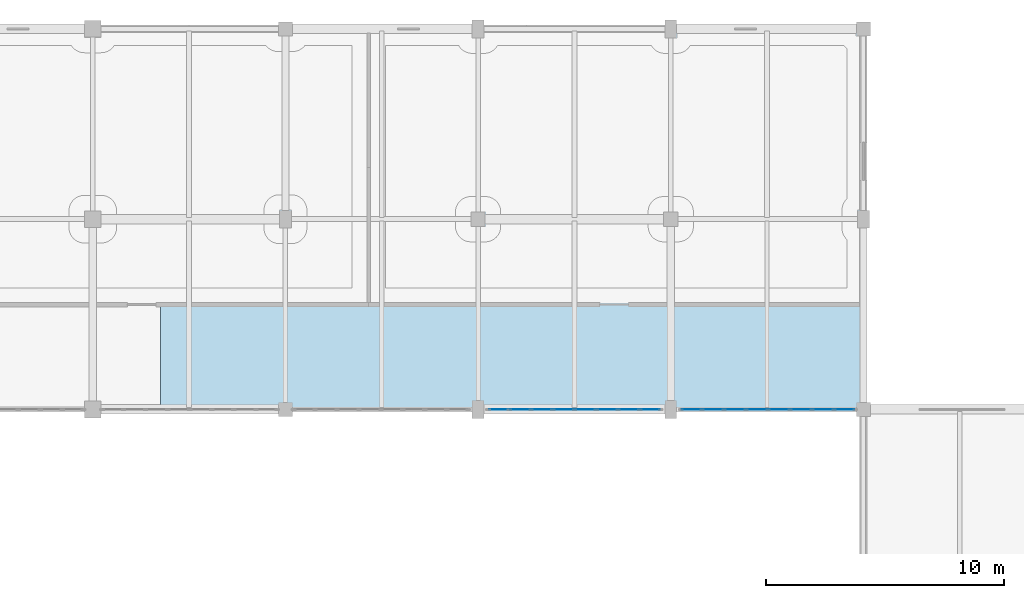
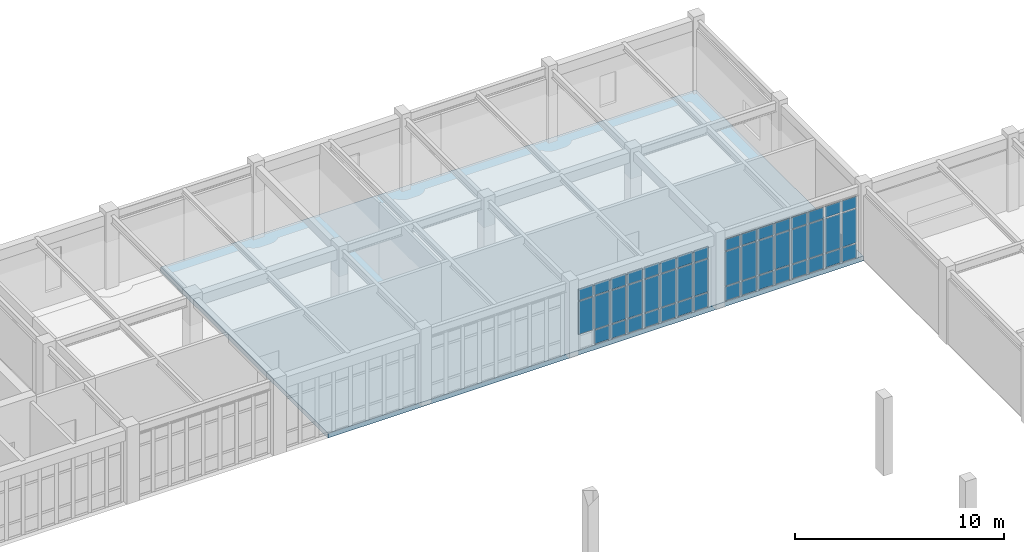
# One storey, part 45 of 67: 47 plates, 1 slab, 2 elements without a shape of their own.
"""IFC4 building model written with IfcOpenShell, lengths in metres."""

from ifc_helpers import new_model, si_unit, direction, frame, origin, origin_2d, place, context, subcontext, project, spatial, polyline, rectangle, outline, extrude, material, layer, layer_set, type_object, element, aggregate, save


model = new_model("IFC4")

# Units and contexts
model_context = context("Model", 3, precision=1e-05, world=origin(), true_north=direction((0.0, 1.0)))
body_context = subcontext(model_context, "Body", "Model", "MODEL_VIEW")
ifc_project = project(units=[si_unit("LENGTHUNIT", "METRE"), si_unit("AREAUNIT", "SQUARE_METRE"), si_unit("VOLUMEUNIT", "CUBIC_METRE"), si_unit("PLANEANGLEUNIT", "RADIAN"), si_unit("MASSUNIT", "GRAM", prefix="KILO")], contexts=[model_context])

# Site, building, storey
site_placement = place(None, origin())
site = spatial("IfcSite", under=ifc_project, at=site_placement, CompositionType="ELEMENT")
building_placement = place(site_placement, origin())
building = spatial("IfcBuilding", under=site, at=building_placement, Name="Tarnveldt Square Police Headquarters", CompositionType="ELEMENT")
storey_placement = place(building_placement, frame((0.0, 0.0, 10.199951171875)))
storey = spatial("IfcBuildingStorey", under=building, at=storey_placement, Name="L02", CompositionType="ELEMENT", Elevation=10.199951171875)

# Curtain wall, plates
ifc_material_1 = material(Name="Triple-glazed low-e laminated vision glass", Category="glass")
curtain_wall_type_1 = type_object("IfcCurtainWallType", Name="CW-LB-732x363", PredefinedType="USERDEFINED", material=ifc_material_1)
curtain_wall_1_placement = place(storey_placement, origin())
curtain_wall_1 = element("IfcCurtainWall", 1, at=curtain_wall_1_placement, inside=storey, type_object=curtain_wall_type_1, Name="L02 Curtain Wall CW-L02-117", ObjectType="GLAZED CURTAIN WALL", PredefinedType="USERDEFINED")
ifc_layer_1 = layer(ifc_material_1, 0.028076171875)
ifc_layer_set_1 = layer_set([ifc_layer_1], Name="Triple-glazed low-e laminated vision glass")
plate_type = type_object("IfcPlateType", Name="CWP-VIS-28", PredefinedType="CURTAIN_PANEL", material=ifc_layer_set_1)
plate_1_placement = place(storey_placement, frame((89.96630859375, 96.0, 0.9326171875), z_axis=(0.0, 0.0, 1.0), x_axis=(1.0, 0.0, 0.0)))
plate_1 = element("IfcPlate", 2, at=plate_1_placement, type_object=plate_type, Name="CW-LB69 panel 1.2", PredefinedType="CURTAIN_PANEL", context=body_context, shape_type="SweptSolid", body=[
    extrude(rectangle(XDim=0.802490234375, YDim=0.028076171875, at=origin_2d()), origin(), (0.0, 0.0, 1.0), 1.9169921875),
])
plate_2_placement = place(storey_placement, frame((89.96630859375, 96.0, 2.91455078125), z_axis=(0.0, 0.0, 1.0), x_axis=(1.0, 0.0, 0.0)))
plate_2 = element("IfcPlate", 3, at=plate_2_placement, type_object=plate_type, Name="CW-LB69 panel 1.3", PredefinedType="CURTAIN_PANEL", context=body_context, shape_type="SweptSolid", body=[
    extrude(rectangle(XDim=0.802490234375, YDim=0.028076171875, at=origin_2d()), origin(), (0.0, 0.0, 1.0), 0.652587890625),
])
plate_3_placement = place(storey_placement, frame((90.862548828125, 96.0, 0.06494140625), z_axis=(0.0, 0.0, 1.0), x_axis=(1.0, 0.0, 0.0)))
plate_3 = element("IfcPlate", 4, at=plate_3_placement, type_object=plate_type, Name="CW-LB69 panel 2.1", PredefinedType="CURTAIN_PANEL", context=body_context, shape_type="SweptSolid", body=[
    extrude(rectangle(XDim=0.840087890625, YDim=0.028076171875, at=origin_2d()), origin(), (0.0, 0.0, 1.0), 0.802490234375),
])
plate_4_placement = place(storey_placement, frame((90.862548828125, 96.0, 0.9326171875), z_axis=(0.0, 0.0, 1.0), x_axis=(1.0, 0.0, 0.0)))
plate_4 = element("IfcPlate", 5, at=plate_4_placement, type_object=plate_type, Name="CW-LB69 panel 2.2", PredefinedType="CURTAIN_PANEL", context=body_context, shape_type="SweptSolid", body=[
    extrude(rectangle(XDim=0.840087890625, YDim=0.028076171875, at=origin_2d()), origin(), (0.0, 0.0, 1.0), 1.9169921875),
])
plate_5_placement = place(storey_placement, frame((90.862548828125, 96.0, 2.91455078125), z_axis=(0.0, 0.0, 1.0), x_axis=(1.0, 0.0, 0.0)))
plate_5 = element("IfcPlate", 6, at=plate_5_placement, type_object=plate_type, Name="CW-LB69 panel 2.3", PredefinedType="CURTAIN_PANEL", context=body_context, shape_type="SweptSolid", body=[
    extrude(rectangle(XDim=0.840087890625, YDim=0.028076171875, at=origin_2d()), origin(), (0.0, 0.0, 1.0), 0.652587890625),
])
plate_6_placement = place(storey_placement, frame((91.777587890625, 96.0, 0.06494140625), z_axis=(0.0, 0.0, 1.0), x_axis=(1.0, 0.0, 0.0)))
plate_6 = element("IfcPlate", 7, at=plate_6_placement, type_object=plate_type, Name="CW-LB69 panel 3.1", PredefinedType="CURTAIN_PANEL", context=body_context, shape_type="SweptSolid", body=[
    extrude(rectangle(XDim=0.840087890625, YDim=0.028076171875, at=origin_2d()), origin(), (0.0, 0.0, 1.0), 0.802490234375),
])
plate_7_placement = place(storey_placement, frame((91.777587890625, 96.0, 0.9326171875), z_axis=(0.0, 0.0, 1.0), x_axis=(1.0, 0.0, 0.0)))
plate_7 = element("IfcPlate", 8, at=plate_7_placement, type_object=plate_type, Name="CW-LB69 panel 3.2", PredefinedType="CURTAIN_PANEL", context=body_context, shape_type="SweptSolid", body=[
    extrude(rectangle(XDim=0.840087890625, YDim=0.028076171875, at=origin_2d()), origin(), (0.0, 0.0, 1.0), 1.9169921875),
])
plate_8_placement = place(storey_placement, frame((91.777587890625, 96.0, 2.91455078125), z_axis=(0.0, 0.0, 1.0), x_axis=(1.0, 0.0, 0.0)))
plate_8 = element("IfcPlate", 9, at=plate_8_placement, type_object=plate_type, Name="CW-LB69 panel 3.3", PredefinedType="CURTAIN_PANEL", context=body_context, shape_type="SweptSolid", body=[
    extrude(rectangle(XDim=0.840087890625, YDim=0.028076171875, at=origin_2d()), origin(), (0.0, 0.0, 1.0), 0.652587890625),
])
plate_9_placement = place(storey_placement, frame((92.6923828125, 96.0, 0.06494140625), z_axis=(0.0, 0.0, 1.0), x_axis=(1.0, 0.0, 0.0)))
plate_9 = element("IfcPlate", 10, at=plate_9_placement, type_object=plate_type, Name="CW-LB69 panel 4.1", PredefinedType="CURTAIN_PANEL", context=body_context, shape_type="SweptSolid", body=[
    extrude(rectangle(XDim=0.840087890625, YDim=0.028076171875, at=origin_2d()), origin(), (0.0, 0.0, 1.0), 0.802490234375),
])
plate_10_placement = place(storey_placement, frame((92.6923828125, 96.0, 0.9326171875), z_axis=(0.0, 0.0, 1.0), x_axis=(1.0, 0.0, 0.0)))
plate_10 = element("IfcPlate", 11, at=plate_10_placement, type_object=plate_type, Name="CW-LB69 panel 4.2", PredefinedType="CURTAIN_PANEL", context=body_context, shape_type="SweptSolid", body=[
    extrude(rectangle(XDim=0.840087890625, YDim=0.028076171875, at=origin_2d()), origin(), (0.0, 0.0, 1.0), 1.9169921875),
])
plate_11_placement = place(storey_placement, frame((92.6923828125, 96.0, 2.91455078125), z_axis=(0.0, 0.0, 1.0), x_axis=(1.0, 0.0, 0.0)))
plate_11 = element("IfcPlate", 12, at=plate_11_placement, type_object=plate_type, Name="CW-LB69 panel 4.3", PredefinedType="CURTAIN_PANEL", context=body_context, shape_type="SweptSolid", body=[
    extrude(rectangle(XDim=0.840087890625, YDim=0.028076171875, at=origin_2d()), origin(), (0.0, 0.0, 1.0), 0.652587890625),
])
plate_12_placement = place(storey_placement, frame((93.607421875, 96.0, 0.06494140625), z_axis=(0.0, 0.0, 1.0), x_axis=(1.0, 0.0, 0.0)))
plate_12 = element("IfcPlate", 13, at=plate_12_placement, type_object=plate_type, Name="CW-LB69 panel 5.1", PredefinedType="CURTAIN_PANEL", context=body_context, shape_type="SweptSolid", body=[
    extrude(rectangle(XDim=0.840087890625, YDim=0.028076171875, at=origin_2d()), origin(), (0.0, 0.0, 1.0), 0.802490234375),
])
plate_13_placement = place(storey_placement, frame((93.607421875, 96.0, 0.9326171875), z_axis=(0.0, 0.0, 1.0), x_axis=(1.0, 0.0, 0.0)))
plate_13 = element("IfcPlate", 14, at=plate_13_placement, type_object=plate_type, Name="CW-LB69 panel 5.2", PredefinedType="CURTAIN_PANEL", context=body_context, shape_type="SweptSolid", body=[
    extrude(rectangle(XDim=0.840087890625, YDim=0.028076171875, at=origin_2d()), origin(), (0.0, 0.0, 1.0), 1.9169921875),
])
plate_14_placement = place(storey_placement, frame((93.607421875, 96.0, 2.91455078125), z_axis=(0.0, 0.0, 1.0), x_axis=(1.0, 0.0, 0.0)))
plate_14 = element("IfcPlate", 15, at=plate_14_placement, type_object=plate_type, Name="CW-LB69 panel 5.3", PredefinedType="CURTAIN_PANEL", context=body_context, shape_type="SweptSolid", body=[
    extrude(rectangle(XDim=0.840087890625, YDim=0.028076171875, at=origin_2d()), origin(), (0.0, 0.0, 1.0), 0.652587890625),
])
plate_15_placement = place(storey_placement, frame((94.5224609375, 96.0, 0.06494140625), z_axis=(0.0, 0.0, 1.0), x_axis=(1.0, 0.0, 0.0)))
plate_15 = element("IfcPlate", 16, at=plate_15_placement, type_object=plate_type, Name="CW-LB69 panel 6.1", PredefinedType="CURTAIN_PANEL", context=body_context, shape_type="SweptSolid", body=[
    extrude(rectangle(XDim=0.840087890625, YDim=0.028076171875, at=origin_2d()), origin(), (0.0, 0.0, 1.0), 0.802490234375),
])
plate_16_placement = place(storey_placement, frame((94.5224609375, 96.0, 0.9326171875), z_axis=(0.0, 0.0, 1.0), x_axis=(1.0, 0.0, 0.0)))
plate_16 = element("IfcPlate", 17, at=plate_16_placement, type_object=plate_type, Name="CW-LB69 panel 6.2", PredefinedType="CURTAIN_PANEL", context=body_context, shape_type="SweptSolid", body=[
    extrude(rectangle(XDim=0.840087890625, YDim=0.028076171875, at=origin_2d()), origin(), (0.0, 0.0, 1.0), 1.9169921875),
])
plate_17_placement = place(storey_placement, frame((94.5224609375, 96.0, 2.91455078125), z_axis=(0.0, 0.0, 1.0), x_axis=(1.0, 0.0, 0.0)))
plate_17 = element("IfcPlate", 18, at=plate_17_placement, type_object=plate_type, Name="CW-LB69 panel 6.3", PredefinedType="CURTAIN_PANEL", context=body_context, shape_type="SweptSolid", body=[
    extrude(rectangle(XDim=0.840087890625, YDim=0.028076171875, at=origin_2d()), origin(), (0.0, 0.0, 1.0), 0.652587890625),
])
plate_18_placement = place(storey_placement, frame((95.4375, 96.0, 0.06494140625), z_axis=(0.0, 0.0, 1.0), x_axis=(1.0, 0.0, 0.0)))
plate_18 = element("IfcPlate", 19, at=plate_18_placement, type_object=plate_type, Name="CW-LB69 panel 7.1", PredefinedType="CURTAIN_PANEL", context=body_context, shape_type="SweptSolid", body=[
    extrude(rectangle(XDim=0.840087890625, YDim=0.028076171875, at=origin_2d()), origin(), (0.0, 0.0, 1.0), 0.802490234375),
])
plate_19_placement = place(storey_placement, frame((95.4375, 96.0, 0.9326171875), z_axis=(0.0, 0.0, 1.0), x_axis=(1.0, 0.0, 0.0)))
plate_19 = element("IfcPlate", 20, at=plate_19_placement, type_object=plate_type, Name="CW-LB69 panel 7.2", PredefinedType="CURTAIN_PANEL", context=body_context, shape_type="SweptSolid", body=[
    extrude(rectangle(XDim=0.840087890625, YDim=0.028076171875, at=origin_2d()), origin(), (0.0, 0.0, 1.0), 1.9169921875),
])
plate_20_placement = place(storey_placement, frame((95.4375, 96.0, 2.91455078125), z_axis=(0.0, 0.0, 1.0), x_axis=(1.0, 0.0, 0.0)))
plate_20 = element("IfcPlate", 21, at=plate_20_placement, type_object=plate_type, Name="CW-LB69 panel 7.3", PredefinedType="CURTAIN_PANEL", context=body_context, shape_type="SweptSolid", body=[
    extrude(rectangle(XDim=0.840087890625, YDim=0.028076171875, at=origin_2d()), origin(), (0.0, 0.0, 1.0), 0.652587890625),
])
plate_21_placement = place(storey_placement, frame((96.333740234375, 96.0, 0.06494140625), z_axis=(0.0, 0.0, 1.0), x_axis=(1.0, 0.0, 0.0)))
plate_21 = element("IfcPlate", 22, at=plate_21_placement, type_object=plate_type, Name="CW-LB69 panel 8.1", PredefinedType="CURTAIN_PANEL", context=body_context, shape_type="SweptSolid", body=[
    extrude(rectangle(XDim=0.802490234375, YDim=0.028076171875, at=origin_2d()), origin(), (0.0, 0.0, 1.0), 0.802490234375),
])
plate_22_placement = place(storey_placement, frame((96.333740234375, 96.0, 0.9326171875), z_axis=(0.0, 0.0, 1.0), x_axis=(1.0, 0.0, 0.0)))
plate_22 = element("IfcPlate", 23, at=plate_22_placement, type_object=plate_type, Name="CW-LB69 panel 8.2", PredefinedType="CURTAIN_PANEL", context=body_context, shape_type="SweptSolid", body=[
    extrude(rectangle(XDim=0.802490234375, YDim=0.028076171875, at=origin_2d()), origin(), (0.0, 0.0, 1.0), 1.9169921875),
])
plate_23_placement = place(storey_placement, frame((96.333740234375, 96.0, 2.91455078125), z_axis=(0.0, 0.0, 1.0), x_axis=(1.0, 0.0, 0.0)))
plate_23 = element("IfcPlate", 24, at=plate_23_placement, type_object=plate_type, Name="CW-LB69 panel 8.3", PredefinedType="CURTAIN_PANEL", context=body_context, shape_type="SweptSolid", body=[
    extrude(rectangle(XDim=0.802490234375, YDim=0.028076171875, at=origin_2d()), origin(), (0.0, 0.0, 1.0), 0.652587890625),
])
aggregate(curtain_wall_1, [plate_1, plate_2, plate_3, plate_4, plate_5, plate_6, plate_7, plate_8, plate_9, plate_10, plate_11, plate_12, plate_13, plate_14, plate_15, plate_16, plate_17, plate_18, plate_19, plate_20, plate_21, plate_22, plate_23])

curtain_wall_type_2 = type_object("IfcCurtainWallType", Name="CW-LB-739x370", PredefinedType="USERDEFINED", material=ifc_material_1)
curtain_wall_2_placement = place(storey_placement, origin())
curtain_wall_2 = element("IfcCurtainWall", 25, at=curtain_wall_2_placement, inside=storey, type_object=curtain_wall_type_2, Name="L02 Curtain Wall CW-L02-118", ObjectType="GLAZED CURTAIN WALL", PredefinedType="USERDEFINED")
plate_24_placement = place(storey_placement, frame((98.071044921875, 96.0, 0.06494140625), z_axis=(0.0, 0.0, 1.0), x_axis=(1.0, 0.0, 0.0)))
plate_24 = element("IfcPlate", 26, at=plate_24_placement, type_object=plate_type, Name="CW-LB68 panel 1.1", PredefinedType="CURTAIN_PANEL", context=body_context, shape_type="SweptSolid", body=[
    extrude(rectangle(XDim=0.811767578125, YDim=0.028076171875, at=origin_2d()), origin(), (0.0, 0.0, 1.0), 0.802490234375),
])
plate_25_placement = place(storey_placement, frame((98.071044921875, 96.0, 0.9326171875), z_axis=(0.0, 0.0, 1.0), x_axis=(1.0, 0.0, 0.0)))
plate_25 = element("IfcPlate", 27, at=plate_25_placement, type_object=plate_type, Name="CW-LB68 panel 1.2", PredefinedType="CURTAIN_PANEL", context=body_context, shape_type="SweptSolid", body=[
    extrude(rectangle(XDim=0.811767578125, YDim=0.028076171875, at=origin_2d()), origin(), (0.0, 0.0, 1.0), 1.98388671875),
])
plate_26_placement = place(storey_placement, frame((98.071044921875, 96.0, 2.9814453125), z_axis=(0.0, 0.0, 1.0), x_axis=(1.0, 0.0, 0.0)))
plate_26 = element("IfcPlate", 28, at=plate_26_placement, type_object=plate_type, Name="CW-LB68 panel 1.3", PredefinedType="CURTAIN_PANEL", context=body_context, shape_type="SweptSolid", body=[
    extrude(rectangle(XDim=0.811767578125, YDim=0.028076171875, at=origin_2d()), origin(), (0.0, 0.0, 1.0), 0.652587890625),
])
plate_27_placement = place(storey_placement, frame((98.9765625, 96.0, 0.06494140625), z_axis=(0.0, 0.0, 1.0), x_axis=(1.0, 0.0, 0.0)))
plate_27 = element("IfcPlate", 29, at=plate_27_placement, type_object=plate_type, Name="CW-LB68 panel 2.1", PredefinedType="CURTAIN_PANEL", context=body_context, shape_type="SweptSolid", body=[
    extrude(rectangle(XDim=0.849365234375, YDim=0.028076171875, at=origin_2d()), origin(), (0.0, 0.0, 1.0), 0.802490234375),
])
plate_28_placement = place(storey_placement, frame((98.9765625, 96.0, 0.9326171875), z_axis=(0.0, 0.0, 1.0), x_axis=(1.0, 0.0, 0.0)))
plate_28 = element("IfcPlate", 30, at=plate_28_placement, type_object=plate_type, Name="CW-LB68 panel 2.2", PredefinedType="CURTAIN_PANEL", context=body_context, shape_type="SweptSolid", body=[
    extrude(rectangle(XDim=0.849365234375, YDim=0.028076171875, at=origin_2d()), origin(), (0.0, 0.0, 1.0), 1.98388671875),
])
plate_29_placement = place(storey_placement, frame((98.9765625, 96.0, 2.9814453125), z_axis=(0.0, 0.0, 1.0), x_axis=(1.0, 0.0, 0.0)))
plate_29 = element("IfcPlate", 31, at=plate_29_placement, type_object=plate_type, Name="CW-LB68 panel 2.3", PredefinedType="CURTAIN_PANEL", context=body_context, shape_type="SweptSolid", body=[
    extrude(rectangle(XDim=0.849365234375, YDim=0.028076171875, at=origin_2d()), origin(), (0.0, 0.0, 1.0), 0.652587890625),
])
plate_30_placement = place(storey_placement, frame((99.90087890625, 96.0, 0.06494140625), z_axis=(0.0, 0.0, 1.0), x_axis=(1.0, 0.0, 0.0)))
plate_30 = element("IfcPlate", 32, at=plate_30_placement, type_object=plate_type, Name="CW-LB68 panel 3.1", PredefinedType="CURTAIN_PANEL", context=body_context, shape_type="SweptSolid", body=[
    extrude(rectangle(XDim=0.849365234375, YDim=0.028076171875, at=origin_2d()), origin(), (0.0, 0.0, 1.0), 0.802490234375),
])
plate_31_placement = place(storey_placement, frame((99.90087890625, 96.0, 0.9326171875), z_axis=(0.0, 0.0, 1.0), x_axis=(1.0, 0.0, 0.0)))
plate_31 = element("IfcPlate", 33, at=plate_31_placement, type_object=plate_type, Name="CW-LB68 panel 3.2", PredefinedType="CURTAIN_PANEL", context=body_context, shape_type="SweptSolid", body=[
    extrude(rectangle(XDim=0.849365234375, YDim=0.028076171875, at=origin_2d()), origin(), (0.0, 0.0, 1.0), 1.98388671875),
])
plate_32_placement = place(storey_placement, frame((99.90087890625, 96.0, 2.9814453125), z_axis=(0.0, 0.0, 1.0), x_axis=(1.0, 0.0, 0.0)))
plate_32 = element("IfcPlate", 34, at=plate_32_placement, type_object=plate_type, Name="CW-LB68 panel 3.3", PredefinedType="CURTAIN_PANEL", context=body_context, shape_type="SweptSolid", body=[
    extrude(rectangle(XDim=0.849365234375, YDim=0.028076171875, at=origin_2d()), origin(), (0.0, 0.0, 1.0), 0.652587890625),
])
plate_33_placement = place(storey_placement, frame((100.8251953125, 96.0, 0.06494140625), z_axis=(0.0, 0.0, 1.0), x_axis=(1.0, 0.0, 0.0)))
plate_33 = element("IfcPlate", 35, at=plate_33_placement, type_object=plate_type, Name="CW-LB68 panel 4.1", PredefinedType="CURTAIN_PANEL", context=body_context, shape_type="SweptSolid", body=[
    extrude(rectangle(XDim=0.849365234375, YDim=0.028076171875, at=origin_2d()), origin(), (0.0, 0.0, 1.0), 0.802490234375),
])
plate_34_placement = place(storey_placement, frame((100.8251953125, 96.0, 0.9326171875), z_axis=(0.0, 0.0, 1.0), x_axis=(1.0, 0.0, 0.0)))
plate_34 = element("IfcPlate", 36, at=plate_34_placement, type_object=plate_type, Name="CW-LB68 panel 4.2", PredefinedType="CURTAIN_PANEL", context=body_context, shape_type="SweptSolid", body=[
    extrude(rectangle(XDim=0.849365234375, YDim=0.028076171875, at=origin_2d()), origin(), (0.0, 0.0, 1.0), 1.98388671875),
])
plate_35_placement = place(storey_placement, frame((100.8251953125, 96.0, 2.9814453125), z_axis=(0.0, 0.0, 1.0), x_axis=(1.0, 0.0, 0.0)))
plate_35 = element("IfcPlate", 37, at=plate_35_placement, type_object=plate_type, Name="CW-LB68 panel 4.3", PredefinedType="CURTAIN_PANEL", context=body_context, shape_type="SweptSolid", body=[
    extrude(rectangle(XDim=0.849365234375, YDim=0.028076171875, at=origin_2d()), origin(), (0.0, 0.0, 1.0), 0.652587890625),
])
plate_36_placement = place(storey_placement, frame((101.749755859375, 96.0, 0.06494140625), z_axis=(0.0, 0.0, 1.0), x_axis=(1.0, 0.0, 0.0)))
plate_36 = element("IfcPlate", 38, at=plate_36_placement, type_object=plate_type, Name="CW-LB68 panel 5.1", PredefinedType="CURTAIN_PANEL", context=body_context, shape_type="SweptSolid", body=[
    extrude(rectangle(XDim=0.849365234375, YDim=0.028076171875, at=origin_2d()), origin(), (0.0, 0.0, 1.0), 0.802490234375),
])
plate_37_placement = place(storey_placement, frame((101.749755859375, 96.0, 0.9326171875), z_axis=(0.0, 0.0, 1.0), x_axis=(1.0, 0.0, 0.0)))
plate_37 = element("IfcPlate", 39, at=plate_37_placement, type_object=plate_type, Name="CW-LB68 panel 5.2", PredefinedType="CURTAIN_PANEL", context=body_context, shape_type="SweptSolid", body=[
    extrude(rectangle(XDim=0.849365234375, YDim=0.028076171875, at=origin_2d()), origin(), (0.0, 0.0, 1.0), 1.98388671875),
])
plate_38_placement = place(storey_placement, frame((101.749755859375, 96.0, 2.9814453125), z_axis=(0.0, 0.0, 1.0), x_axis=(1.0, 0.0, 0.0)))
plate_38 = element("IfcPlate", 40, at=plate_38_placement, type_object=plate_type, Name="CW-LB68 panel 5.3", PredefinedType="CURTAIN_PANEL", context=body_context, shape_type="SweptSolid", body=[
    extrude(rectangle(XDim=0.849365234375, YDim=0.028076171875, at=origin_2d()), origin(), (0.0, 0.0, 1.0), 0.652587890625),
])
plate_39_placement = place(storey_placement, frame((102.674072265625, 96.0, 0.06494140625), z_axis=(0.0, 0.0, 1.0), x_axis=(1.0, 0.0, 0.0)))
plate_39 = element("IfcPlate", 41, at=plate_39_placement, type_object=plate_type, Name="CW-LB68 panel 6.1", PredefinedType="CURTAIN_PANEL", context=body_context, shape_type="SweptSolid", body=[
    extrude(rectangle(XDim=0.849365234375, YDim=0.028076171875, at=origin_2d()), origin(), (0.0, 0.0, 1.0), 0.802490234375),
])
plate_40_placement = place(storey_placement, frame((102.674072265625, 96.0, 0.9326171875), z_axis=(0.0, 0.0, 1.0), x_axis=(1.0, 0.0, 0.0)))
plate_40 = element("IfcPlate", 42, at=plate_40_placement, type_object=plate_type, Name="CW-LB68 panel 6.2", PredefinedType="CURTAIN_PANEL", context=body_context, shape_type="SweptSolid", body=[
    extrude(rectangle(XDim=0.849365234375, YDim=0.028076171875, at=origin_2d()), origin(), (0.0, 0.0, 1.0), 1.98388671875),
])
plate_41_placement = place(storey_placement, frame((102.674072265625, 96.0, 2.9814453125), z_axis=(0.0, 0.0, 1.0), x_axis=(1.0, 0.0, 0.0)))
plate_41 = element("IfcPlate", 43, at=plate_41_placement, type_object=plate_type, Name="CW-LB68 panel 6.3", PredefinedType="CURTAIN_PANEL", context=body_context, shape_type="SweptSolid", body=[
    extrude(rectangle(XDim=0.849365234375, YDim=0.028076171875, at=origin_2d()), origin(), (0.0, 0.0, 1.0), 0.652587890625),
])
plate_42_placement = place(storey_placement, frame((103.598388671875, 96.0, 0.06494140625), z_axis=(0.0, 0.0, 1.0), x_axis=(1.0, 0.0, 0.0)))
plate_42 = element("IfcPlate", 44, at=plate_42_placement, type_object=plate_type, Name="CW-LB68 panel 7.1", PredefinedType="CURTAIN_PANEL", context=body_context, shape_type="SweptSolid", body=[
    extrude(rectangle(XDim=0.849365234375, YDim=0.028076171875, at=origin_2d()), origin(), (0.0, 0.0, 1.0), 0.802490234375),
])
plate_43_placement = place(storey_placement, frame((103.598388671875, 96.0, 0.9326171875), z_axis=(0.0, 0.0, 1.0), x_axis=(1.0, 0.0, 0.0)))
plate_43 = element("IfcPlate", 45, at=plate_43_placement, type_object=plate_type, Name="CW-LB68 panel 7.2", PredefinedType="CURTAIN_PANEL", context=body_context, shape_type="SweptSolid", body=[
    extrude(rectangle(XDim=0.849365234375, YDim=0.028076171875, at=origin_2d()), origin(), (0.0, 0.0, 1.0), 1.98388671875),
])
plate_44_placement = place(storey_placement, frame((103.598388671875, 96.0, 2.9814453125), z_axis=(0.0, 0.0, 1.0), x_axis=(1.0, 0.0, 0.0)))
plate_44 = element("IfcPlate", 46, at=plate_44_placement, type_object=plate_type, Name="CW-LB68 panel 7.3", PredefinedType="CURTAIN_PANEL", context=body_context, shape_type="SweptSolid", body=[
    extrude(rectangle(XDim=0.849365234375, YDim=0.028076171875, at=origin_2d()), origin(), (0.0, 0.0, 1.0), 0.652587890625),
])
plate_45_placement = place(storey_placement, frame((104.504150390625, 96.0, 0.06494140625), z_axis=(0.0, 0.0, 1.0), x_axis=(1.0, 0.0, 0.0)))
plate_45 = element("IfcPlate", 47, at=plate_45_placement, type_object=plate_type, Name="CW-LB68 panel 8.1", PredefinedType="CURTAIN_PANEL", context=body_context, shape_type="SweptSolid", body=[
    extrude(rectangle(XDim=0.811767578125, YDim=0.028076171875, at=origin_2d()), origin(), (0.0, 0.0, 1.0), 0.802490234375),
])
plate_46_placement = place(storey_placement, frame((104.504150390625, 96.0, 0.9326171875), z_axis=(0.0, 0.0, 1.0), x_axis=(1.0, 0.0, 0.0)))
plate_46 = element("IfcPlate", 48, at=plate_46_placement, type_object=plate_type, Name="CW-LB68 panel 8.2", PredefinedType="CURTAIN_PANEL", context=body_context, shape_type="SweptSolid", body=[
    extrude(rectangle(XDim=0.811767578125, YDim=0.028076171875, at=origin_2d()), origin(), (0.0, 0.0, 1.0), 1.98388671875),
])
plate_47_placement = place(storey_placement, frame((104.504150390625, 96.0, 2.9814453125), z_axis=(0.0, 0.0, 1.0), x_axis=(1.0, 0.0, 0.0)))
plate_47 = element("IfcPlate", 49, at=plate_47_placement, type_object=plate_type, Name="CW-LB68 panel 8.3", PredefinedType="CURTAIN_PANEL", context=body_context, shape_type="SweptSolid", body=[
    extrude(rectangle(XDim=0.811767578125, YDim=0.028076171875, at=origin_2d()), origin(), (0.0, 0.0, 1.0), 0.652587890625),
])
aggregate(curtain_wall_2, [plate_24, plate_25, plate_26, plate_27, plate_28, plate_29, plate_30, plate_31, plate_32, plate_33, plate_34, plate_35, plate_36, plate_37, plate_38, plate_39, plate_40, plate_41, plate_42, plate_43, plate_44, plate_45, plate_46, plate_47])

# Slab
ifc_material_2 = material(Name="Concrete 40 MPa", Category="concrete")
ifc_layer_2 = layer(ifc_material_2, 0.280029296875)
ifc_layer_set_2 = layer_set([ifc_layer_2], Name="Concrete 40 MPa")
slab_type = type_object("IfcSlabType", Name="SL-POD-280", PredefinedType="FLOOR", material=ifc_layer_set_2)
slab_placement = place(storey_placement, frame((0.0, 0.0, -0.280029296875)))
element("IfcSlab", 50, at=slab_placement, inside=storey, type_object=slab_type, Name="L02 Structural Floor Slab L02-V6-2", PredefinedType="FLOOR", context=body_context, shape_type="SweptSolid", body=[
    extrude(outline(polyline([(105.300048828125, 112.0), (105.300048828125, 96.0), (75.75, 96.0), (75.75, 112.0), (105.300048828125, 112.0)])), origin(), (0.0, 0.0, 1.0), 0.280029296875),
])

save(model, "model.ifc")
